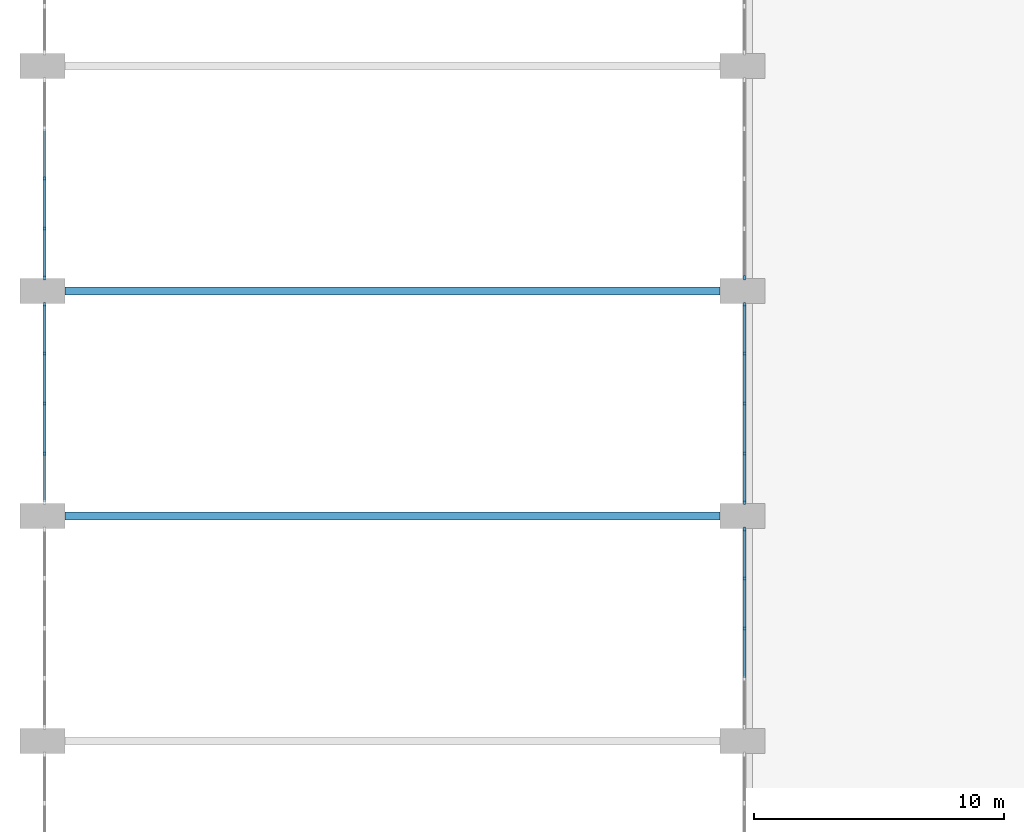
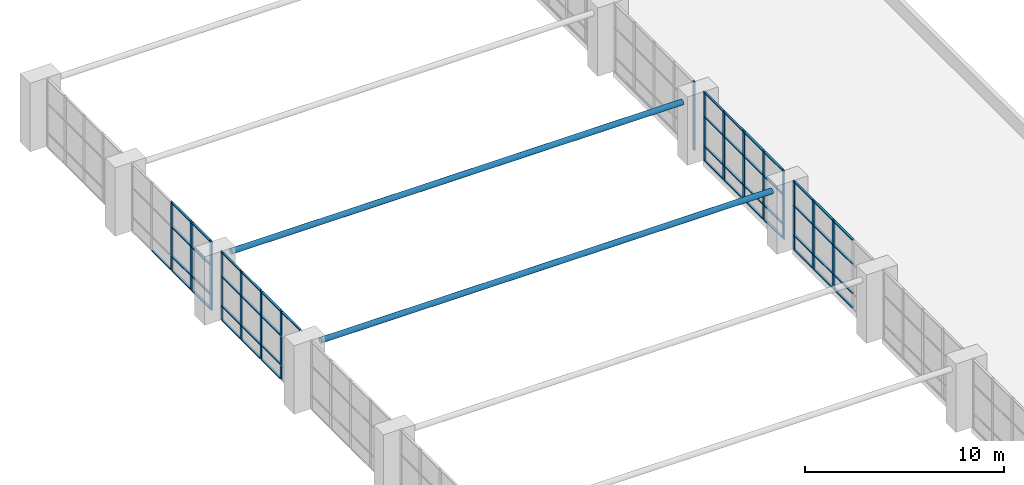
# One storey, part 5 of 21: 68 members, 5 elements without a shape of their own.
"""IFC4 building model written with IfcOpenShell, lengths in metres."""

from ifc_helpers import new_model, si_unit, direction, frame, origin, origin_2d, place, context, subcontext, project, spatial, rectangle, hollow_circle, extrude, material, material_profile, profile_set, type_object, element, aggregate, save


model = new_model("IFC4")

# Units and contexts
model_context = context("Model", 3, precision=1e-05, world=origin(), true_north=direction((0.0, 1.0)))
body_context = subcontext(model_context, "Body", "Model", "MODEL_VIEW")
ifc_project = project(units=[si_unit("LENGTHUNIT", "METRE"), si_unit("AREAUNIT", "SQUARE_METRE"), si_unit("VOLUMEUNIT", "CUBIC_METRE"), si_unit("PLANEANGLEUNIT", "RADIAN"), si_unit("MASSUNIT", "GRAM", prefix="KILO")], contexts=[model_context])

# Site, building, storey
site_placement = place(None, origin())
site = spatial("IfcSite", under=ifc_project, at=site_placement, CompositionType="ELEMENT")
building_placement = place(site_placement, origin())
building = spatial("IfcBuilding", under=site, at=building_placement, Name="Elmora Arch Market Hall", CompositionType="ELEMENT")
storey_placement = place(building_placement, frame((0.0, 0.0, 14.39990234375)))
storey = spatial("IfcBuildingStorey", under=building, at=storey_placement, Name="L03", CompositionType="ELEMENT", Elevation=14.39990234375)

# Curtain wall, members
ifc_material_1 = material(Name="Aluminium", Category="aluminium")
curtain_wall_type = type_object("IfcCurtainWallType", Name="Hall front curtain wall", PredefinedType="NOTDEFINED", material=ifc_material_1)
curtain_wall_1_placement = place(storey_placement, origin())
curtain_wall_1 = element("IfcCurtainWall", 1, at=curtain_wall_1_placement, inside=storey, type_object=curtain_wall_type, Name="Hall west glazing L03 6", PredefinedType="NOTDEFINED")
ifc_material_2 = material(Name="Aluminium", Category="aluminium")
ifc_material_profile_1 = material_profile(ifc_material_2, rectangle(XDim=0.080078125, YDim=0.179931640625, at=origin_2d()), Name="AL 80x180")
ifc_profile_set_1 = profile_set([ifc_material_profile_1], Name="Aluminium")
member_type_1 = type_object("IfcMemberType", Name="Mullion 80x180", PredefinedType="MULLION", material=ifc_profile_set_1)
member_1_placement = place(storey_placement, frame((15.090087890625, 74.5, 0.0), z_axis=(0.0, 0.0, 1.0), x_axis=(-1.0, 0.0, 0.0)))
member_1 = element("IfcMember", 2, at=member_1_placement, type_object=member_type_1, Name="CW2 mullion 2", PredefinedType="MULLION", context=body_context, shape_type="SweptSolid", body=[
    extrude(rectangle(XDim=0.080078125, YDim=0.179931640625, at=origin_2d()), origin(), (0.0, 0.0, 1.0), 4.2001953125),
])
member_2_placement = place(storey_placement, frame((15.090087890625, 76.5, 0.0), z_axis=(0.0, 0.0, 1.0), x_axis=(-1.0, 0.0, 0.0)))
member_2 = element("IfcMember", 3, at=member_2_placement, type_object=member_type_1, Name="CW2 mullion 3", PredefinedType="MULLION", context=body_context, shape_type="SweptSolid", body=[
    extrude(rectangle(XDim=0.080078125, YDim=0.179931640625, at=origin_2d()), origin(), (0.0, 0.0, 1.0), 4.2001953125),
])
member_3_placement = place(storey_placement, frame((15.090087890625, 78.5, 0.0), z_axis=(0.0, 0.0, 1.0), x_axis=(-1.0, 0.0, 0.0)))
member_3 = element("IfcMember", 4, at=member_3_placement, type_object=member_type_1, Name="CW2 mullion 4", PredefinedType="MULLION", context=body_context, shape_type="SweptSolid", body=[
    extrude(rectangle(XDim=0.080078125, YDim=0.179931640625, at=origin_2d()), origin(), (0.0, 0.0, 1.0), 4.2001953125),
])
member_4_placement = place(storey_placement, frame((15.090087890625, 80.4599609375, 0.0), z_axis=(0.0, 0.0, 1.0), x_axis=(-1.0, 0.0, 0.0)))
member_4 = element("IfcMember", 5, at=member_4_placement, type_object=member_type_1, Name="CW2 mullion 5", PredefinedType="MULLION", context=body_context, shape_type="SweptSolid", body=[
    extrude(rectangle(XDim=0.080078125, YDim=0.179931640625, at=origin_2d()), origin(), (0.0, 0.0, 1.0), 4.2001953125),
])

curtain_wall_2_placement = place(storey_placement, origin())
curtain_wall_2 = element("IfcCurtainWall", 6, at=curtain_wall_2_placement, inside=storey, type_object=curtain_wall_type, Name="Hall west glazing L03 7", PredefinedType="NOTDEFINED")
member_5_placement = place(storey_placement, frame((15.090087890625, 81.5400390625, 0.0), z_axis=(0.0, 0.0, 1.0), x_axis=(-1.0, 0.0, 0.0)))
member_5 = element("IfcMember", 7, at=member_5_placement, type_object=member_type_1, Name="CW2 mullion 1", PredefinedType="MULLION", context=body_context, shape_type="SweptSolid", body=[
    extrude(rectangle(XDim=0.080078125, YDim=0.179931640625, at=origin_2d()), origin(), (0.0, 0.0, 1.0), 4.2001953125),
])
member_6_placement = place(storey_placement, frame((15.090087890625, 83.5, 0.0), z_axis=(0.0, 0.0, 1.0), x_axis=(-1.0, 0.0, 0.0)))
member_6 = element("IfcMember", 8, at=member_6_placement, type_object=member_type_1, Name="CW2 mullion 2", PredefinedType="MULLION", context=body_context, shape_type="SweptSolid", body=[
    extrude(rectangle(XDim=0.080078125, YDim=0.179931640625, at=origin_2d()), origin(), (0.0, 0.0, 1.0), 4.2001953125),
])
member_7_placement = place(storey_placement, frame((15.090087890625, 85.5, 0.0), z_axis=(0.0, 0.0, 1.0), x_axis=(-1.0, 0.0, 0.0)))
member_7 = element("IfcMember", 9, at=member_7_placement, type_object=member_type_1, Name="CW2 mullion 3", PredefinedType="MULLION", context=body_context, shape_type="SweptSolid", body=[
    extrude(rectangle(XDim=0.080078125, YDim=0.179931640625, at=origin_2d()), origin(), (0.0, 0.0, 1.0), 4.2001953125),
])

curtain_wall_3_placement = place(storey_placement, origin())
curtain_wall_3 = element("IfcCurtainWall", 10, at=curtain_wall_3_placement, inside=storey, type_object=curtain_wall_type, Name="Hall east glazing L03 5", PredefinedType="NOTDEFINED")
member_8_placement = place(storey_placement, frame((43.090087890625, 67.5, 0.0), z_axis=(0.0, 0.0, 1.0), x_axis=(-1.0, 0.0, 0.0)))
member_8 = element("IfcMember", 11, at=member_8_placement, type_object=member_type_1, Name="CW2 mullion 3", PredefinedType="MULLION", context=body_context, shape_type="SweptSolid", body=[
    extrude(rectangle(XDim=0.080078125, YDim=0.179931640625, at=origin_2d()), origin(), (0.0, 0.0, 1.0), 4.2001953125),
])
member_9_placement = place(storey_placement, frame((43.090087890625, 69.5, 0.0), z_axis=(0.0, 0.0, 1.0), x_axis=(-1.0, 0.0, 0.0)))
member_9 = element("IfcMember", 12, at=member_9_placement, type_object=member_type_1, Name="CW2 mullion 4", PredefinedType="MULLION", context=body_context, shape_type="SweptSolid", body=[
    extrude(rectangle(XDim=0.080078125, YDim=0.179931640625, at=origin_2d()), origin(), (0.0, 0.0, 1.0), 4.2001953125),
])
member_10_placement = place(storey_placement, frame((43.090087890625, 71.4599609375, 0.0), z_axis=(0.0, 0.0, 1.0), x_axis=(-1.0, 0.0, 0.0)))
member_10 = element("IfcMember", 13, at=member_10_placement, type_object=member_type_1, Name="CW2 mullion 5", PredefinedType="MULLION", context=body_context, shape_type="SweptSolid", body=[
    extrude(rectangle(XDim=0.080078125, YDim=0.179931640625, at=origin_2d()), origin(), (0.0, 0.0, 1.0), 4.2001953125),
])

curtain_wall_4_placement = place(storey_placement, origin())
curtain_wall_4 = element("IfcCurtainWall", 14, at=curtain_wall_4_placement, inside=storey, type_object=curtain_wall_type, Name="Hall east glazing L03 6", PredefinedType="NOTDEFINED")
member_11_placement = place(storey_placement, frame((43.090087890625, 72.5400390625, 0.0), z_axis=(0.0, 0.0, 1.0), x_axis=(-1.0, 0.0, 0.0)))
member_11 = element("IfcMember", 15, at=member_11_placement, type_object=member_type_1, Name="CW2 mullion 1", PredefinedType="MULLION", context=body_context, shape_type="SweptSolid", body=[
    extrude(rectangle(XDim=0.080078125, YDim=0.179931640625, at=origin_2d()), origin(), (0.0, 0.0, 1.0), 4.2001953125),
])
member_12_placement = place(storey_placement, frame((43.090087890625, 74.5, 0.0), z_axis=(0.0, 0.0, 1.0), x_axis=(-1.0, 0.0, 0.0)))
member_12 = element("IfcMember", 16, at=member_12_placement, type_object=member_type_1, Name="CW2 mullion 2", PredefinedType="MULLION", context=body_context, shape_type="SweptSolid", body=[
    extrude(rectangle(XDim=0.080078125, YDim=0.179931640625, at=origin_2d()), origin(), (0.0, 0.0, 1.0), 4.2001953125),
])
member_13_placement = place(storey_placement, frame((43.090087890625, 76.5, 0.0), z_axis=(0.0, 0.0, 1.0), x_axis=(-1.0, 0.0, 0.0)))
member_13 = element("IfcMember", 17, at=member_13_placement, type_object=member_type_1, Name="CW2 mullion 3", PredefinedType="MULLION", context=body_context, shape_type="SweptSolid", body=[
    extrude(rectangle(XDim=0.080078125, YDim=0.179931640625, at=origin_2d()), origin(), (0.0, 0.0, 1.0), 4.2001953125),
])
member_14_placement = place(storey_placement, frame((43.090087890625, 78.5, 0.0), z_axis=(0.0, 0.0, 1.0), x_axis=(-1.0, 0.0, 0.0)))
member_14 = element("IfcMember", 18, at=member_14_placement, type_object=member_type_1, Name="CW2 mullion 4", PredefinedType="MULLION", context=body_context, shape_type="SweptSolid", body=[
    extrude(rectangle(XDim=0.080078125, YDim=0.179931640625, at=origin_2d()), origin(), (0.0, 0.0, 1.0), 4.2001953125),
])
member_15_placement = place(storey_placement, frame((43.090087890625, 80.4599609375, 0.0), z_axis=(0.0, 0.0, 1.0), x_axis=(-1.0, 0.0, 0.0)))
member_15 = element("IfcMember", 19, at=member_15_placement, type_object=member_type_1, Name="CW2 mullion 5", PredefinedType="MULLION", context=body_context, shape_type="SweptSolid", body=[
    extrude(rectangle(XDim=0.080078125, YDim=0.179931640625, at=origin_2d()), origin(), (0.0, 0.0, 1.0), 4.2001953125),
])

# Curtain wall, member
curtain_wall_5_placement = place(storey_placement, origin())
curtain_wall_5 = element("IfcCurtainWall", 20, at=curtain_wall_5_placement, inside=storey, type_object=curtain_wall_type, Name="Hall east glazing L03 7", PredefinedType="NOTDEFINED")
member_16_placement = place(storey_placement, frame((43.090087890625, 81.5400390625, 0.0), z_axis=(0.0, 0.0, 1.0), x_axis=(-1.0, 0.0, 0.0)))
member_16 = element("IfcMember", 21, at=member_16_placement, type_object=member_type_1, Name="CW2 mullion 1", PredefinedType="MULLION", context=body_context, shape_type="SweptSolid", body=[
    extrude(rectangle(XDim=0.080078125, YDim=0.179931640625, at=origin_2d()), origin(), (0.0, 0.0, 1.0), 4.2001953125),
])
aggregate(curtain_wall_5, [member_16])

# Members
ifc_material_3 = material(Name="Steel ASTM A500 Gr C", Category="steel")
ifc_material_profile_2 = material_profile(ifc_material_3, hollow_circle(Radius=0.161865234375, WallThickness=0.0126953125, at=origin_2d()), Name="Tie rod")
ifc_profile_set_2 = profile_set([ifc_material_profile_2], Name="Steel ASTM A500 Gr C")
member_type_2 = type_object("IfcMemberType", Name="Tie rod", PredefinedType="USERDEFINED", material=ifc_profile_set_2)
for number, where, z_axis, x_axis, name in (
    (22, (15.89990234375, 72.0, 3.60009765625), (1.0, 0.0, 0.0), (0.0, 1.0, 0.0), "Tie rod 06"),
    (23, (15.89990234375, 81.0, 3.60009765625), (1.0, 0.0, 0.0), (0.0, 1.0, 0.0), "Tie rod 07"),
):
    element("IfcMember", number, at=place(storey_placement, frame(where, z_axis=z_axis, x_axis=x_axis)), inside=storey, type_object=member_type_2, Name=name, ObjectType="TIE ROD", PredefinedType="USERDEFINED", context=body_context, shape_type="SweptSolid", body=[
        extrude(hollow_circle(Radius=0.161865234375, WallThickness=0.0126953125, at=origin_2d()), origin(), (0.0, 0.0, 1.0), 26.2001953125),
    ])

# Member
ifc_material_4 = material(Name="Aluminium", Category="aluminium")
ifc_material_profile_3 = material_profile(ifc_material_4, rectangle(XDim=0.1201171875, YDim=0.06005859375, at=origin_2d()), Name="AL 120x60")
ifc_profile_set_3 = profile_set([ifc_material_profile_3], Name="Aluminium")
member_type_3 = type_object("IfcMemberType", Name="Transom 120x60", PredefinedType="USERDEFINED", material=ifc_profile_set_3)
member_17_placement = place(storey_placement, frame((15.090087890625, 72.580078125, 4.170166015625), z_axis=(0.0, 1.0, 0.0), x_axis=(-1.0, 0.0, 0.0)))
member_17 = element("IfcMember", 24, at=member_17_placement, type_object=member_type_3, Name="CW2 transom 1.4", ObjectType="TRANSOM", PredefinedType="USERDEFINED", context=body_context, shape_type="SweptSolid", body=[
    extrude(rectangle(XDim=0.1201171875, YDim=0.06005859375, at=origin_2d()), origin(), (0.0, 0.0, 1.0), 1.8798828125),
])

member_18_placement = place(storey_placement, frame((15.090087890625, 74.5400390625, 0.030029296875), z_axis=(0.0, 1.0, 0.0), x_axis=(-1.0, 0.0, 0.0)))
member_18 = element("IfcMember", 25, at=member_18_placement, type_object=member_type_3, Name="CW2 transom 2.1", ObjectType="TRANSOM", PredefinedType="USERDEFINED", context=body_context, shape_type="SweptSolid", body=[
    extrude(rectangle(XDim=0.1201171875, YDim=0.06005859375, at=origin_2d()), origin(), (0.0, 0.0, 1.0), 1.919921875),
])

member_19_placement = place(storey_placement, frame((15.090087890625, 74.5400390625, 0.900146484375), z_axis=(0.0, 1.0, 0.0), x_axis=(-1.0, 0.0, 0.0)))
member_19 = element("IfcMember", 26, at=member_19_placement, type_object=member_type_3, Name="CW2 transom 2.2", ObjectType="TRANSOM", PredefinedType="USERDEFINED", context=body_context, shape_type="SweptSolid", body=[
    extrude(rectangle(XDim=0.1201171875, YDim=0.06005859375, at=origin_2d()), origin(), (0.0, 0.0, 1.0), 1.919921875),
])

member_20_placement = place(storey_placement, frame((15.090087890625, 74.5400390625, 2.7001953125), z_axis=(0.0, 1.0, 0.0), x_axis=(-1.0, 0.0, 0.0)))
member_20 = element("IfcMember", 27, at=member_20_placement, type_object=member_type_3, Name="CW2 transom 2.3", ObjectType="TRANSOM", PredefinedType="USERDEFINED", context=body_context, shape_type="SweptSolid", body=[
    extrude(rectangle(XDim=0.1201171875, YDim=0.06005859375, at=origin_2d()), origin(), (0.0, 0.0, 1.0), 1.919921875),
])

member_21_placement = place(storey_placement, frame((15.090087890625, 74.5400390625, 4.170166015625), z_axis=(0.0, 1.0, 0.0), x_axis=(-1.0, 0.0, 0.0)))
member_21 = element("IfcMember", 28, at=member_21_placement, type_object=member_type_3, Name="CW2 transom 2.4", ObjectType="TRANSOM", PredefinedType="USERDEFINED", context=body_context, shape_type="SweptSolid", body=[
    extrude(rectangle(XDim=0.1201171875, YDim=0.06005859375, at=origin_2d()), origin(), (0.0, 0.0, 1.0), 1.919921875),
])

member_22_placement = place(storey_placement, frame((15.090087890625, 76.5400390625, 0.030029296875), z_axis=(0.0, 1.0, 0.0), x_axis=(-1.0, 0.0, 0.0)))
member_22 = element("IfcMember", 29, at=member_22_placement, type_object=member_type_3, Name="CW2 transom 3.1", ObjectType="TRANSOM", PredefinedType="USERDEFINED", context=body_context, shape_type="SweptSolid", body=[
    extrude(rectangle(XDim=0.1201171875, YDim=0.06005859375, at=origin_2d()), origin(), (0.0, 0.0, 1.0), 1.919921875),
])

member_23_placement = place(storey_placement, frame((15.090087890625, 76.5400390625, 0.900146484375), z_axis=(0.0, 1.0, 0.0), x_axis=(-1.0, 0.0, 0.0)))
member_23 = element("IfcMember", 30, at=member_23_placement, type_object=member_type_3, Name="CW2 transom 3.2", ObjectType="TRANSOM", PredefinedType="USERDEFINED", context=body_context, shape_type="SweptSolid", body=[
    extrude(rectangle(XDim=0.1201171875, YDim=0.06005859375, at=origin_2d()), origin(), (0.0, 0.0, 1.0), 1.919921875),
])

member_24_placement = place(storey_placement, frame((15.090087890625, 76.5400390625, 2.7001953125), z_axis=(0.0, 1.0, 0.0), x_axis=(-1.0, 0.0, 0.0)))
member_24 = element("IfcMember", 31, at=member_24_placement, type_object=member_type_3, Name="CW2 transom 3.3", ObjectType="TRANSOM", PredefinedType="USERDEFINED", context=body_context, shape_type="SweptSolid", body=[
    extrude(rectangle(XDim=0.1201171875, YDim=0.06005859375, at=origin_2d()), origin(), (0.0, 0.0, 1.0), 1.919921875),
])

member_25_placement = place(storey_placement, frame((15.090087890625, 76.5400390625, 4.170166015625), z_axis=(0.0, 1.0, 0.0), x_axis=(-1.0, 0.0, 0.0)))
member_25 = element("IfcMember", 32, at=member_25_placement, type_object=member_type_3, Name="CW2 transom 3.4", ObjectType="TRANSOM", PredefinedType="USERDEFINED", context=body_context, shape_type="SweptSolid", body=[
    extrude(rectangle(XDim=0.1201171875, YDim=0.06005859375, at=origin_2d()), origin(), (0.0, 0.0, 1.0), 1.919921875),
])

member_26_placement = place(storey_placement, frame((15.090087890625, 78.5400390625, 0.030029296875), z_axis=(0.0, 1.0, 0.0), x_axis=(-1.0, 0.0, 0.0)))
member_26 = element("IfcMember", 33, at=member_26_placement, type_object=member_type_3, Name="CW2 transom 4.1", ObjectType="TRANSOM", PredefinedType="USERDEFINED", context=body_context, shape_type="SweptSolid", body=[
    extrude(rectangle(XDim=0.1201171875, YDim=0.06005859375, at=origin_2d()), origin(), (0.0, 0.0, 1.0), 1.8798828125),
])

member_27_placement = place(storey_placement, frame((15.090087890625, 78.5400390625, 0.900146484375), z_axis=(0.0, 1.0, 0.0), x_axis=(-1.0, 0.0, 0.0)))
member_27 = element("IfcMember", 34, at=member_27_placement, type_object=member_type_3, Name="CW2 transom 4.2", ObjectType="TRANSOM", PredefinedType="USERDEFINED", context=body_context, shape_type="SweptSolid", body=[
    extrude(rectangle(XDim=0.1201171875, YDim=0.06005859375, at=origin_2d()), origin(), (0.0, 0.0, 1.0), 1.8798828125),
])

member_28_placement = place(storey_placement, frame((15.090087890625, 78.5400390625, 2.7001953125), z_axis=(0.0, 1.0, 0.0), x_axis=(-1.0, 0.0, 0.0)))
member_28 = element("IfcMember", 35, at=member_28_placement, type_object=member_type_3, Name="CW2 transom 4.3", ObjectType="TRANSOM", PredefinedType="USERDEFINED", context=body_context, shape_type="SweptSolid", body=[
    extrude(rectangle(XDim=0.1201171875, YDim=0.06005859375, at=origin_2d()), origin(), (0.0, 0.0, 1.0), 1.8798828125),
])

member_29_placement = place(storey_placement, frame((15.090087890625, 78.5400390625, 4.170166015625), z_axis=(0.0, 1.0, 0.0), x_axis=(-1.0, 0.0, 0.0)))
member_29 = element("IfcMember", 36, at=member_29_placement, type_object=member_type_3, Name="CW2 transom 4.4", ObjectType="TRANSOM", PredefinedType="USERDEFINED", context=body_context, shape_type="SweptSolid", body=[
    extrude(rectangle(XDim=0.1201171875, YDim=0.06005859375, at=origin_2d()), origin(), (0.0, 0.0, 1.0), 1.8798828125),
])

aggregate(curtain_wall_1, [member_1, member_2, member_3, member_4, member_17, member_18, member_19, member_20, member_21, member_22, member_23, member_24, member_25, member_26, member_27, member_28, member_29])

member_30_placement = place(storey_placement, frame((15.090087890625, 81.580078125, 0.030029296875), z_axis=(0.0, 1.0, 0.0), x_axis=(-1.0, 0.0, 0.0)))
member_30 = element("IfcMember", 37, at=member_30_placement, type_object=member_type_3, Name="CW2 transom 1.1", ObjectType="TRANSOM", PredefinedType="USERDEFINED", context=body_context, shape_type="SweptSolid", body=[
    extrude(rectangle(XDim=0.1201171875, YDim=0.06005859375, at=origin_2d()), origin(), (0.0, 0.0, 1.0), 1.8798828125),
])

member_31_placement = place(storey_placement, frame((15.090087890625, 81.580078125, 0.900146484375), z_axis=(0.0, 1.0, 0.0), x_axis=(-1.0, 0.0, 0.0)))
member_31 = element("IfcMember", 38, at=member_31_placement, type_object=member_type_3, Name="CW2 transom 1.2", ObjectType="TRANSOM", PredefinedType="USERDEFINED", context=body_context, shape_type="SweptSolid", body=[
    extrude(rectangle(XDim=0.1201171875, YDim=0.06005859375, at=origin_2d()), origin(), (0.0, 0.0, 1.0), 1.8798828125),
])

member_32_placement = place(storey_placement, frame((15.090087890625, 81.580078125, 2.7001953125), z_axis=(0.0, 1.0, 0.0), x_axis=(-1.0, 0.0, 0.0)))
member_32 = element("IfcMember", 39, at=member_32_placement, type_object=member_type_3, Name="CW2 transom 1.3", ObjectType="TRANSOM", PredefinedType="USERDEFINED", context=body_context, shape_type="SweptSolid", body=[
    extrude(rectangle(XDim=0.1201171875, YDim=0.06005859375, at=origin_2d()), origin(), (0.0, 0.0, 1.0), 1.8798828125),
])

member_33_placement = place(storey_placement, frame((15.090087890625, 81.580078125, 4.170166015625), z_axis=(0.0, 1.0, 0.0), x_axis=(-1.0, 0.0, 0.0)))
member_33 = element("IfcMember", 40, at=member_33_placement, type_object=member_type_3, Name="CW2 transom 1.4", ObjectType="TRANSOM", PredefinedType="USERDEFINED", context=body_context, shape_type="SweptSolid", body=[
    extrude(rectangle(XDim=0.1201171875, YDim=0.06005859375, at=origin_2d()), origin(), (0.0, 0.0, 1.0), 1.8798828125),
])

member_34_placement = place(storey_placement, frame((15.090087890625, 83.5400390625, 0.030029296875), z_axis=(0.0, 1.0, 0.0), x_axis=(-1.0, 0.0, 0.0)))
member_34 = element("IfcMember", 41, at=member_34_placement, type_object=member_type_3, Name="CW2 transom 2.1", ObjectType="TRANSOM", PredefinedType="USERDEFINED", context=body_context, shape_type="SweptSolid", body=[
    extrude(rectangle(XDim=0.1201171875, YDim=0.06005859375, at=origin_2d()), origin(), (0.0, 0.0, 1.0), 1.919921875),
])

member_35_placement = place(storey_placement, frame((15.090087890625, 83.5400390625, 0.900146484375), z_axis=(0.0, 1.0, 0.0), x_axis=(-1.0, 0.0, 0.0)))
member_35 = element("IfcMember", 42, at=member_35_placement, type_object=member_type_3, Name="CW2 transom 2.2", ObjectType="TRANSOM", PredefinedType="USERDEFINED", context=body_context, shape_type="SweptSolid", body=[
    extrude(rectangle(XDim=0.1201171875, YDim=0.06005859375, at=origin_2d()), origin(), (0.0, 0.0, 1.0), 1.919921875),
])

member_36_placement = place(storey_placement, frame((15.090087890625, 83.5400390625, 2.7001953125), z_axis=(0.0, 1.0, 0.0), x_axis=(-1.0, 0.0, 0.0)))
member_36 = element("IfcMember", 43, at=member_36_placement, type_object=member_type_3, Name="CW2 transom 2.3", ObjectType="TRANSOM", PredefinedType="USERDEFINED", context=body_context, shape_type="SweptSolid", body=[
    extrude(rectangle(XDim=0.1201171875, YDim=0.06005859375, at=origin_2d()), origin(), (0.0, 0.0, 1.0), 1.919921875),
])

member_37_placement = place(storey_placement, frame((15.090087890625, 83.5400390625, 4.170166015625), z_axis=(0.0, 1.0, 0.0), x_axis=(-1.0, 0.0, 0.0)))
member_37 = element("IfcMember", 44, at=member_37_placement, type_object=member_type_3, Name="CW2 transom 2.4", ObjectType="TRANSOM", PredefinedType="USERDEFINED", context=body_context, shape_type="SweptSolid", body=[
    extrude(rectangle(XDim=0.1201171875, YDim=0.06005859375, at=origin_2d()), origin(), (0.0, 0.0, 1.0), 1.919921875),
])

member_38_placement = place(storey_placement, frame((15.090087890625, 85.5400390625, 0.030029296875), z_axis=(0.0, 1.0, 0.0), x_axis=(-1.0, 0.0, 0.0)))
member_38 = element("IfcMember", 45, at=member_38_placement, type_object=member_type_3, Name="CW2 transom 3.1", ObjectType="TRANSOM", PredefinedType="USERDEFINED", context=body_context, shape_type="SweptSolid", body=[
    extrude(rectangle(XDim=0.1201171875, YDim=0.06005859375, at=origin_2d()), origin(), (0.0, 0.0, 1.0), 1.919921875),
])

aggregate(curtain_wall_2, [member_5, member_6, member_7, member_30, member_31, member_32, member_33, member_34, member_35, member_36, member_37, member_38])

member_39_placement = place(storey_placement, frame((43.090087890625, 65.5400390625, 0.030029296875), z_axis=(0.0, 1.0, 0.0), x_axis=(-1.0, 0.0, 0.0)))
member_39 = element("IfcMember", 46, at=member_39_placement, type_object=member_type_3, Name="CW2 transom 2.1", ObjectType="TRANSOM", PredefinedType="USERDEFINED", context=body_context, shape_type="SweptSolid", body=[
    extrude(rectangle(XDim=0.1201171875, YDim=0.06005859375, at=origin_2d()), origin(), (0.0, 0.0, 1.0), 1.919921875),
])

member_40_placement = place(storey_placement, frame((43.090087890625, 65.5400390625, 0.900146484375), z_axis=(0.0, 1.0, 0.0), x_axis=(-1.0, 0.0, 0.0)))
member_40 = element("IfcMember", 47, at=member_40_placement, type_object=member_type_3, Name="CW2 transom 2.2", ObjectType="TRANSOM", PredefinedType="USERDEFINED", context=body_context, shape_type="SweptSolid", body=[
    extrude(rectangle(XDim=0.1201171875, YDim=0.06005859375, at=origin_2d()), origin(), (0.0, 0.0, 1.0), 1.919921875),
])

member_41_placement = place(storey_placement, frame((43.090087890625, 65.5400390625, 2.7001953125), z_axis=(0.0, 1.0, 0.0), x_axis=(-1.0, 0.0, 0.0)))
member_41 = element("IfcMember", 48, at=member_41_placement, type_object=member_type_3, Name="CW2 transom 2.3", ObjectType="TRANSOM", PredefinedType="USERDEFINED", context=body_context, shape_type="SweptSolid", body=[
    extrude(rectangle(XDim=0.1201171875, YDim=0.06005859375, at=origin_2d()), origin(), (0.0, 0.0, 1.0), 1.919921875),
])

member_42_placement = place(storey_placement, frame((43.090087890625, 65.5400390625, 4.170166015625), z_axis=(0.0, 1.0, 0.0), x_axis=(-1.0, 0.0, 0.0)))
member_42 = element("IfcMember", 49, at=member_42_placement, type_object=member_type_3, Name="CW2 transom 2.4", ObjectType="TRANSOM", PredefinedType="USERDEFINED", context=body_context, shape_type="SweptSolid", body=[
    extrude(rectangle(XDim=0.1201171875, YDim=0.06005859375, at=origin_2d()), origin(), (0.0, 0.0, 1.0), 1.919921875),
])

member_43_placement = place(storey_placement, frame((43.090087890625, 67.5400390625, 0.030029296875), z_axis=(0.0, 1.0, 0.0), x_axis=(-1.0, 0.0, 0.0)))
member_43 = element("IfcMember", 50, at=member_43_placement, type_object=member_type_3, Name="CW2 transom 3.1", ObjectType="TRANSOM", PredefinedType="USERDEFINED", context=body_context, shape_type="SweptSolid", body=[
    extrude(rectangle(XDim=0.1201171875, YDim=0.06005859375, at=origin_2d()), origin(), (0.0, 0.0, 1.0), 1.919921875),
])

member_44_placement = place(storey_placement, frame((43.090087890625, 67.5400390625, 0.900146484375), z_axis=(0.0, 1.0, 0.0), x_axis=(-1.0, 0.0, 0.0)))
member_44 = element("IfcMember", 51, at=member_44_placement, type_object=member_type_3, Name="CW2 transom 3.2", ObjectType="TRANSOM", PredefinedType="USERDEFINED", context=body_context, shape_type="SweptSolid", body=[
    extrude(rectangle(XDim=0.1201171875, YDim=0.06005859375, at=origin_2d()), origin(), (0.0, 0.0, 1.0), 1.919921875),
])

member_45_placement = place(storey_placement, frame((43.090087890625, 67.5400390625, 2.7001953125), z_axis=(0.0, 1.0, 0.0), x_axis=(-1.0, 0.0, 0.0)))
member_45 = element("IfcMember", 52, at=member_45_placement, type_object=member_type_3, Name="CW2 transom 3.3", ObjectType="TRANSOM", PredefinedType="USERDEFINED", context=body_context, shape_type="SweptSolid", body=[
    extrude(rectangle(XDim=0.1201171875, YDim=0.06005859375, at=origin_2d()), origin(), (0.0, 0.0, 1.0), 1.919921875),
])

member_46_placement = place(storey_placement, frame((43.090087890625, 67.5400390625, 4.170166015625), z_axis=(0.0, 1.0, 0.0), x_axis=(-1.0, 0.0, 0.0)))
member_46 = element("IfcMember", 53, at=member_46_placement, type_object=member_type_3, Name="CW2 transom 3.4", ObjectType="TRANSOM", PredefinedType="USERDEFINED", context=body_context, shape_type="SweptSolid", body=[
    extrude(rectangle(XDim=0.1201171875, YDim=0.06005859375, at=origin_2d()), origin(), (0.0, 0.0, 1.0), 1.919921875),
])

member_47_placement = place(storey_placement, frame((43.090087890625, 69.5400390625, 0.030029296875), z_axis=(0.0, 1.0, 0.0), x_axis=(-1.0, 0.0, 0.0)))
member_47 = element("IfcMember", 54, at=member_47_placement, type_object=member_type_3, Name="CW2 transom 4.1", ObjectType="TRANSOM", PredefinedType="USERDEFINED", context=body_context, shape_type="SweptSolid", body=[
    extrude(rectangle(XDim=0.1201171875, YDim=0.06005859375, at=origin_2d()), origin(), (0.0, 0.0, 1.0), 1.8798828125),
])

member_48_placement = place(storey_placement, frame((43.090087890625, 69.5400390625, 0.900146484375), z_axis=(0.0, 1.0, 0.0), x_axis=(-1.0, 0.0, 0.0)))
member_48 = element("IfcMember", 55, at=member_48_placement, type_object=member_type_3, Name="CW2 transom 4.2", ObjectType="TRANSOM", PredefinedType="USERDEFINED", context=body_context, shape_type="SweptSolid", body=[
    extrude(rectangle(XDim=0.1201171875, YDim=0.06005859375, at=origin_2d()), origin(), (0.0, 0.0, 1.0), 1.8798828125),
])

member_49_placement = place(storey_placement, frame((43.090087890625, 69.5400390625, 2.7001953125), z_axis=(0.0, 1.0, 0.0), x_axis=(-1.0, 0.0, 0.0)))
member_49 = element("IfcMember", 56, at=member_49_placement, type_object=member_type_3, Name="CW2 transom 4.3", ObjectType="TRANSOM", PredefinedType="USERDEFINED", context=body_context, shape_type="SweptSolid", body=[
    extrude(rectangle(XDim=0.1201171875, YDim=0.06005859375, at=origin_2d()), origin(), (0.0, 0.0, 1.0), 1.8798828125),
])

member_50_placement = place(storey_placement, frame((43.090087890625, 69.5400390625, 4.170166015625), z_axis=(0.0, 1.0, 0.0), x_axis=(-1.0, 0.0, 0.0)))
member_50 = element("IfcMember", 57, at=member_50_placement, type_object=member_type_3, Name="CW2 transom 4.4", ObjectType="TRANSOM", PredefinedType="USERDEFINED", context=body_context, shape_type="SweptSolid", body=[
    extrude(rectangle(XDim=0.1201171875, YDim=0.06005859375, at=origin_2d()), origin(), (0.0, 0.0, 1.0), 1.8798828125),
])

aggregate(curtain_wall_3, [member_8, member_9, member_10, member_39, member_40, member_41, member_42, member_43, member_44, member_45, member_46, member_47, member_48, member_49, member_50])

member_51_placement = place(storey_placement, frame((43.090087890625, 72.580078125, 0.030029296875), z_axis=(0.0, 1.0, 0.0), x_axis=(-1.0, 0.0, 0.0)))
member_51 = element("IfcMember", 58, at=member_51_placement, type_object=member_type_3, Name="CW2 transom 1.1", ObjectType="TRANSOM", PredefinedType="USERDEFINED", context=body_context, shape_type="SweptSolid", body=[
    extrude(rectangle(XDim=0.1201171875, YDim=0.06005859375, at=origin_2d()), origin(), (0.0, 0.0, 1.0), 1.8798828125),
])

member_52_placement = place(storey_placement, frame((43.090087890625, 72.580078125, 0.900146484375), z_axis=(0.0, 1.0, 0.0), x_axis=(-1.0, 0.0, 0.0)))
member_52 = element("IfcMember", 59, at=member_52_placement, type_object=member_type_3, Name="CW2 transom 1.2", ObjectType="TRANSOM", PredefinedType="USERDEFINED", context=body_context, shape_type="SweptSolid", body=[
    extrude(rectangle(XDim=0.1201171875, YDim=0.06005859375, at=origin_2d()), origin(), (0.0, 0.0, 1.0), 1.8798828125),
])

member_53_placement = place(storey_placement, frame((43.090087890625, 72.580078125, 2.7001953125), z_axis=(0.0, 1.0, 0.0), x_axis=(-1.0, 0.0, 0.0)))
member_53 = element("IfcMember", 60, at=member_53_placement, type_object=member_type_3, Name="CW2 transom 1.3", ObjectType="TRANSOM", PredefinedType="USERDEFINED", context=body_context, shape_type="SweptSolid", body=[
    extrude(rectangle(XDim=0.1201171875, YDim=0.06005859375, at=origin_2d()), origin(), (0.0, 0.0, 1.0), 1.8798828125),
])

member_54_placement = place(storey_placement, frame((43.090087890625, 72.580078125, 4.170166015625), z_axis=(0.0, 1.0, 0.0), x_axis=(-1.0, 0.0, 0.0)))
member_54 = element("IfcMember", 61, at=member_54_placement, type_object=member_type_3, Name="CW2 transom 1.4", ObjectType="TRANSOM", PredefinedType="USERDEFINED", context=body_context, shape_type="SweptSolid", body=[
    extrude(rectangle(XDim=0.1201171875, YDim=0.06005859375, at=origin_2d()), origin(), (0.0, 0.0, 1.0), 1.8798828125),
])

member_55_placement = place(storey_placement, frame((43.090087890625, 74.5400390625, 0.030029296875), z_axis=(0.0, 1.0, 0.0), x_axis=(-1.0, 0.0, 0.0)))
member_55 = element("IfcMember", 62, at=member_55_placement, type_object=member_type_3, Name="CW2 transom 2.1", ObjectType="TRANSOM", PredefinedType="USERDEFINED", context=body_context, shape_type="SweptSolid", body=[
    extrude(rectangle(XDim=0.1201171875, YDim=0.06005859375, at=origin_2d()), origin(), (0.0, 0.0, 1.0), 1.919921875),
])

member_56_placement = place(storey_placement, frame((43.090087890625, 74.5400390625, 0.900146484375), z_axis=(0.0, 1.0, 0.0), x_axis=(-1.0, 0.0, 0.0)))
member_56 = element("IfcMember", 63, at=member_56_placement, type_object=member_type_3, Name="CW2 transom 2.2", ObjectType="TRANSOM", PredefinedType="USERDEFINED", context=body_context, shape_type="SweptSolid", body=[
    extrude(rectangle(XDim=0.1201171875, YDim=0.06005859375, at=origin_2d()), origin(), (0.0, 0.0, 1.0), 1.919921875),
])

member_57_placement = place(storey_placement, frame((43.090087890625, 74.5400390625, 2.7001953125), z_axis=(0.0, 1.0, 0.0), x_axis=(-1.0, 0.0, 0.0)))
member_57 = element("IfcMember", 64, at=member_57_placement, type_object=member_type_3, Name="CW2 transom 2.3", ObjectType="TRANSOM", PredefinedType="USERDEFINED", context=body_context, shape_type="SweptSolid", body=[
    extrude(rectangle(XDim=0.1201171875, YDim=0.06005859375, at=origin_2d()), origin(), (0.0, 0.0, 1.0), 1.919921875),
])

member_58_placement = place(storey_placement, frame((43.090087890625, 74.5400390625, 4.170166015625), z_axis=(0.0, 1.0, 0.0), x_axis=(-1.0, 0.0, 0.0)))
member_58 = element("IfcMember", 65, at=member_58_placement, type_object=member_type_3, Name="CW2 transom 2.4", ObjectType="TRANSOM", PredefinedType="USERDEFINED", context=body_context, shape_type="SweptSolid", body=[
    extrude(rectangle(XDim=0.1201171875, YDim=0.06005859375, at=origin_2d()), origin(), (0.0, 0.0, 1.0), 1.919921875),
])

member_59_placement = place(storey_placement, frame((43.090087890625, 76.5400390625, 0.030029296875), z_axis=(0.0, 1.0, 0.0), x_axis=(-1.0, 0.0, 0.0)))
member_59 = element("IfcMember", 66, at=member_59_placement, type_object=member_type_3, Name="CW2 transom 3.1", ObjectType="TRANSOM", PredefinedType="USERDEFINED", context=body_context, shape_type="SweptSolid", body=[
    extrude(rectangle(XDim=0.1201171875, YDim=0.06005859375, at=origin_2d()), origin(), (0.0, 0.0, 1.0), 1.919921875),
])

member_60_placement = place(storey_placement, frame((43.090087890625, 76.5400390625, 0.900146484375), z_axis=(0.0, 1.0, 0.0), x_axis=(-1.0, 0.0, 0.0)))
member_60 = element("IfcMember", 67, at=member_60_placement, type_object=member_type_3, Name="CW2 transom 3.2", ObjectType="TRANSOM", PredefinedType="USERDEFINED", context=body_context, shape_type="SweptSolid", body=[
    extrude(rectangle(XDim=0.1201171875, YDim=0.06005859375, at=origin_2d()), origin(), (0.0, 0.0, 1.0), 1.919921875),
])

member_61_placement = place(storey_placement, frame((43.090087890625, 76.5400390625, 2.7001953125), z_axis=(0.0, 1.0, 0.0), x_axis=(-1.0, 0.0, 0.0)))
member_61 = element("IfcMember", 68, at=member_61_placement, type_object=member_type_3, Name="CW2 transom 3.3", ObjectType="TRANSOM", PredefinedType="USERDEFINED", context=body_context, shape_type="SweptSolid", body=[
    extrude(rectangle(XDim=0.1201171875, YDim=0.06005859375, at=origin_2d()), origin(), (0.0, 0.0, 1.0), 1.919921875),
])

member_62_placement = place(storey_placement, frame((43.090087890625, 76.5400390625, 4.170166015625), z_axis=(0.0, 1.0, 0.0), x_axis=(-1.0, 0.0, 0.0)))
member_62 = element("IfcMember", 69, at=member_62_placement, type_object=member_type_3, Name="CW2 transom 3.4", ObjectType="TRANSOM", PredefinedType="USERDEFINED", context=body_context, shape_type="SweptSolid", body=[
    extrude(rectangle(XDim=0.1201171875, YDim=0.06005859375, at=origin_2d()), origin(), (0.0, 0.0, 1.0), 1.919921875),
])

member_63_placement = place(storey_placement, frame((43.090087890625, 78.5400390625, 0.030029296875), z_axis=(0.0, 1.0, 0.0), x_axis=(-1.0, 0.0, 0.0)))
member_63 = element("IfcMember", 70, at=member_63_placement, type_object=member_type_3, Name="CW2 transom 4.1", ObjectType="TRANSOM", PredefinedType="USERDEFINED", context=body_context, shape_type="SweptSolid", body=[
    extrude(rectangle(XDim=0.1201171875, YDim=0.06005859375, at=origin_2d()), origin(), (0.0, 0.0, 1.0), 1.8798828125),
])

member_64_placement = place(storey_placement, frame((43.090087890625, 78.5400390625, 0.900146484375), z_axis=(0.0, 1.0, 0.0), x_axis=(-1.0, 0.0, 0.0)))
member_64 = element("IfcMember", 71, at=member_64_placement, type_object=member_type_3, Name="CW2 transom 4.2", ObjectType="TRANSOM", PredefinedType="USERDEFINED", context=body_context, shape_type="SweptSolid", body=[
    extrude(rectangle(XDim=0.1201171875, YDim=0.06005859375, at=origin_2d()), origin(), (0.0, 0.0, 1.0), 1.8798828125),
])

member_65_placement = place(storey_placement, frame((43.090087890625, 78.5400390625, 2.7001953125), z_axis=(0.0, 1.0, 0.0), x_axis=(-1.0, 0.0, 0.0)))
member_65 = element("IfcMember", 72, at=member_65_placement, type_object=member_type_3, Name="CW2 transom 4.3", ObjectType="TRANSOM", PredefinedType="USERDEFINED", context=body_context, shape_type="SweptSolid", body=[
    extrude(rectangle(XDim=0.1201171875, YDim=0.06005859375, at=origin_2d()), origin(), (0.0, 0.0, 1.0), 1.8798828125),
])

member_66_placement = place(storey_placement, frame((43.090087890625, 78.5400390625, 4.170166015625), z_axis=(0.0, 1.0, 0.0), x_axis=(-1.0, 0.0, 0.0)))
member_66 = element("IfcMember", 73, at=member_66_placement, type_object=member_type_3, Name="CW2 transom 4.4", ObjectType="TRANSOM", PredefinedType="USERDEFINED", context=body_context, shape_type="SweptSolid", body=[
    extrude(rectangle(XDim=0.1201171875, YDim=0.06005859375, at=origin_2d()), origin(), (0.0, 0.0, 1.0), 1.8798828125),
])

aggregate(curtain_wall_4, [member_11, member_12, member_13, member_14, member_15, member_51, member_52, member_53, member_54, member_55, member_56, member_57, member_58, member_59, member_60, member_61, member_62, member_63, member_64, member_65, member_66])

save(model, "model.ifc")
